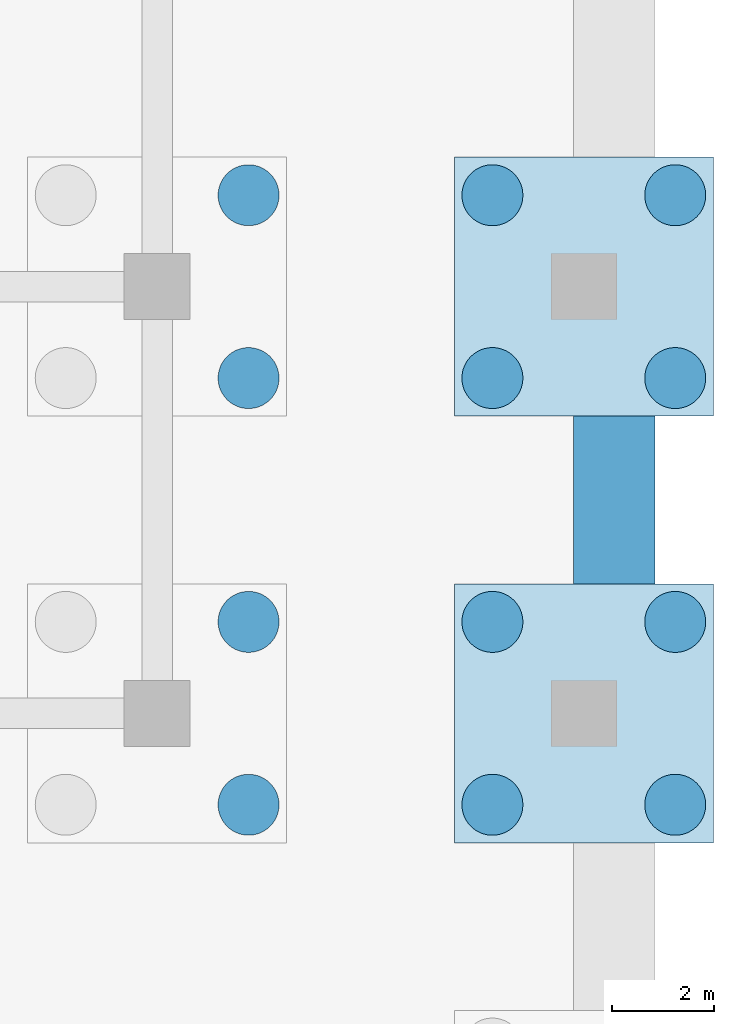
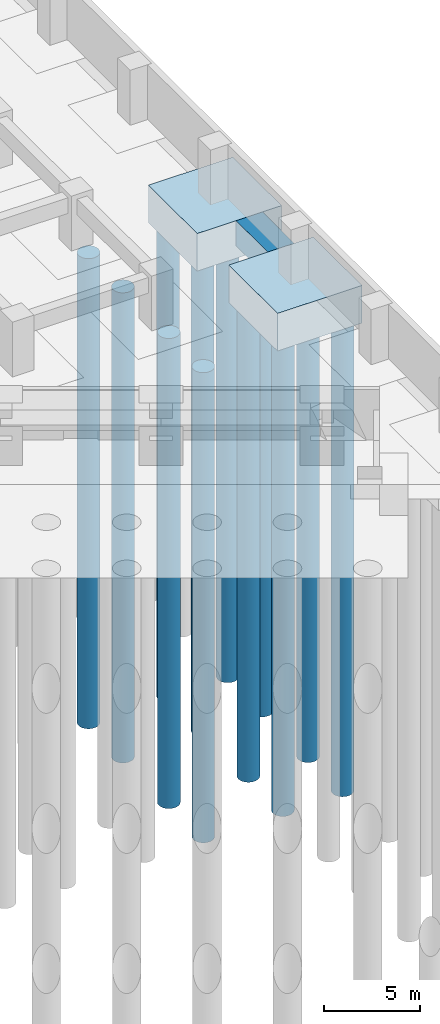
# One storey, part 30 of 73: 12 piles, 3 footings.
"""IFC4 building model written with IfcOpenShell, lengths in metres."""

from ifc_helpers import new_model, si_unit, direction, frame, origin, origin_2d, place, context, subcontext, project, spatial, polyline, circle, outline, extrude, material, material_profile, profile_set, type_object, element, save


model = new_model("IFC4")

# Units and contexts
model_context = context("Model", 3, precision=1e-05, world=origin(), true_north=direction((0.0, 1.0)))
body_context = subcontext(model_context, "Body", "Model", "MODEL_VIEW")
ifc_project = project(units=[si_unit("LENGTHUNIT", "METRE"), si_unit("AREAUNIT", "SQUARE_METRE"), si_unit("VOLUMEUNIT", "CUBIC_METRE"), si_unit("PLANEANGLEUNIT", "RADIAN"), si_unit("MASSUNIT", "GRAM", prefix="KILO")], contexts=[model_context])

# Site, building, storey
site_placement = place(None, origin())
site = spatial("IfcSite", under=ifc_project, at=site_placement, CompositionType="ELEMENT")
building_placement = place(site_placement, origin())
building = spatial("IfcBuilding", under=site, at=building_placement, Name="Impinga Residences", CompositionType="ELEMENT")
storey_placement = place(building_placement, frame((0.0, 0.0, -10.5)))
storey = spatial("IfcBuildingStorey", under=building, at=storey_placement, Name="B3", CompositionType="ELEMENT", Elevation=-10.5)

# Piles
ifc_material_1 = material(Name="Concrete C35/45", Category="concrete")
ifc_material_profile = material_profile(ifc_material_1, circle(Radius=0.60009765625, at=origin_2d()), Name="D1200")
ifc_profile_set = profile_set([ifc_material_profile], Name="Concrete C35/45")
pile_type = type_object("IfcPileType", Name="BP2 bored pile D1200", PredefinedType="BORED", material=ifc_profile_set)
pile_1_placement = place(storey_placement, frame((43.800048828125, -1.800048828125, -2.39990234375), z_axis=(0.0, 0.0, -1.0), x_axis=(1.0, 0.0, 0.0)))
element("IfcPile", 1, at=pile_1_placement, inside=storey, type_object=pile_type, Name="Cap pile BP2 12/F-2", PredefinedType="BORED", context=body_context, shape_type="SweptSolid", body=[
    extrude(outline(polyline([(0.60009765625, 0.0), (0.59716796875, 0.058837890625), (0.58837890625, 0.116943359375), (0.57421875, 0.174072265625), (0.554443359375, 0.2294921875), (0.529052734375, 0.282958984375), (0.498779296875, 0.333251953125), (0.4638671875, 0.380615234375), (0.42431640625, 0.42431640625), (0.380615234375, 0.4638671875), (0.333251953125, 0.498779296875), (0.282958984375, 0.529052734375), (0.2294921875, 0.554443359375), (0.174072265625, 0.57421875), (0.116943359375, 0.58837890625), (0.058837890625, 0.59716796875), (0.0, 0.60009765625), (-0.058837890625, 0.59716796875), (-0.116943359375, 0.58837890625), (-0.174072265625, 0.57421875), (-0.2294921875, 0.554443359375), (-0.282958984375, 0.529052734375), (-0.333251953125, 0.498779296875), (-0.380615234375, 0.4638671875), (-0.42431640625, 0.42431640625), (-0.4638671875, 0.380615234375), (-0.498779296875, 0.333251953125), (-0.529052734375, 0.282958984375), (-0.554443359375, 0.2294921875), (-0.57421875, 0.174072265625), (-0.58837890625, 0.116943359375), (-0.59716796875, 0.058837890625), (-0.60009765625, 0.0), (-0.59716796875, -0.058837890625), (-0.58837890625, -0.116943359375), (-0.57421875, -0.174072265625), (-0.554443359375, -0.2294921875), (-0.529052734375, -0.282958984375), (-0.498779296875, -0.333251953125), (-0.4638671875, -0.380615234375), (-0.42431640625, -0.42431640625), (-0.380615234375, -0.4638671875), (-0.333251953125, -0.498779296875), (-0.282958984375, -0.529052734375), (-0.2294921875, -0.554443359375), (-0.174072265625, -0.57421875), (-0.116943359375, -0.58837890625), (-0.058837890625, -0.59716796875), (0.0, -0.60009765625), (0.058837890625, -0.59716796875), (0.116943359375, -0.58837890625), (0.174072265625, -0.57421875), (0.2294921875, -0.554443359375), (0.282958984375, -0.529052734375), (0.333251953125, -0.498779296875), (0.380615234375, -0.4638671875), (0.42431640625, -0.42431640625), (0.4638671875, -0.380615234375), (0.498779296875, -0.333251953125), (0.529052734375, -0.282958984375), (0.554443359375, -0.2294921875), (0.57421875, -0.174072265625), (0.58837890625, -0.116943359375), (0.59716796875, -0.058837890625), (0.60009765625, 0.0)])), origin(), (0.0, 0.0, 1.0), 30.0),
])
pile_2_placement = place(storey_placement, frame((43.800048828125, 1.800048828125, -2.39990234375), z_axis=(0.0, 0.0, -1.0), x_axis=(1.0, 0.0, 0.0)))
element("IfcPile", 2, at=pile_2_placement, inside=storey, type_object=pile_type, Name="Cap pile BP2 12/F-3", PredefinedType="BORED", context=body_context, shape_type="SweptSolid", body=[
    extrude(outline(polyline([(0.60009765625, 0.0), (0.59716796875, 0.058837890625), (0.58837890625, 0.116943359375), (0.57421875, 0.174072265625), (0.554443359375, 0.2294921875), (0.529052734375, 0.282958984375), (0.498779296875, 0.333251953125), (0.4638671875, 0.380615234375), (0.42431640625, 0.42431640625), (0.380615234375, 0.4638671875), (0.333251953125, 0.498779296875), (0.282958984375, 0.529052734375), (0.2294921875, 0.554443359375), (0.174072265625, 0.57421875), (0.116943359375, 0.58837890625), (0.058837890625, 0.59716796875), (0.0, 0.60009765625), (-0.058837890625, 0.59716796875), (-0.116943359375, 0.58837890625), (-0.174072265625, 0.57421875), (-0.2294921875, 0.554443359375), (-0.282958984375, 0.529052734375), (-0.333251953125, 0.498779296875), (-0.380615234375, 0.4638671875), (-0.42431640625, 0.42431640625), (-0.4638671875, 0.380615234375), (-0.498779296875, 0.333251953125), (-0.529052734375, 0.282958984375), (-0.554443359375, 0.2294921875), (-0.57421875, 0.174072265625), (-0.58837890625, 0.116943359375), (-0.59716796875, 0.058837890625), (-0.60009765625, 0.0), (-0.59716796875, -0.058837890625), (-0.58837890625, -0.116943359375), (-0.57421875, -0.174072265625), (-0.554443359375, -0.2294921875), (-0.529052734375, -0.282958984375), (-0.498779296875, -0.333251953125), (-0.4638671875, -0.380615234375), (-0.42431640625, -0.42431640625), (-0.380615234375, -0.4638671875), (-0.333251953125, -0.498779296875), (-0.282958984375, -0.529052734375), (-0.2294921875, -0.554443359375), (-0.174072265625, -0.57421875), (-0.116943359375, -0.58837890625), (-0.058837890625, -0.59716796875), (0.0, -0.60009765625), (0.058837890625, -0.59716796875), (0.116943359375, -0.58837890625), (0.174072265625, -0.57421875), (0.2294921875, -0.554443359375), (0.282958984375, -0.529052734375), (0.333251953125, -0.498779296875), (0.380615234375, -0.4638671875), (0.42431640625, -0.42431640625), (0.4638671875, -0.380615234375), (0.498779296875, -0.333251953125), (0.529052734375, -0.282958984375), (0.554443359375, -0.2294921875), (0.57421875, -0.174072265625), (0.58837890625, -0.116943359375), (0.59716796875, -0.058837890625), (0.60009765625, 0.0)])), origin(), (0.0, 0.0, 1.0), 30.0),
])
pile_3_placement = place(storey_placement, frame((43.800048828125, 6.60009765625, -2.39990234375), z_axis=(0.0, 0.0, -1.0), x_axis=(1.0, 0.0, 0.0)))
element("IfcPile", 3, at=pile_3_placement, inside=storey, type_object=pile_type, Name="Cap pile BP2 12/G-2", PredefinedType="BORED", context=body_context, shape_type="SweptSolid", body=[
    extrude(outline(polyline([(0.60009765625, 0.0), (0.59716796875, 0.058837890625), (0.58837890625, 0.116943359375), (0.57421875, 0.174072265625), (0.554443359375, 0.2294921875), (0.529052734375, 0.282958984375), (0.498779296875, 0.333251953125), (0.4638671875, 0.380615234375), (0.42431640625, 0.42431640625), (0.380615234375, 0.4638671875), (0.333251953125, 0.498779296875), (0.282958984375, 0.529052734375), (0.2294921875, 0.554443359375), (0.174072265625, 0.57421875), (0.116943359375, 0.58837890625), (0.058837890625, 0.59716796875), (0.0, 0.60009765625), (-0.058837890625, 0.59716796875), (-0.116943359375, 0.58837890625), (-0.174072265625, 0.57421875), (-0.2294921875, 0.554443359375), (-0.282958984375, 0.529052734375), (-0.333251953125, 0.498779296875), (-0.380615234375, 0.4638671875), (-0.42431640625, 0.42431640625), (-0.4638671875, 0.380615234375), (-0.498779296875, 0.333251953125), (-0.529052734375, 0.282958984375), (-0.554443359375, 0.2294921875), (-0.57421875, 0.174072265625), (-0.58837890625, 0.116943359375), (-0.59716796875, 0.058837890625), (-0.60009765625, 0.0), (-0.59716796875, -0.058837890625), (-0.58837890625, -0.116943359375), (-0.57421875, -0.174072265625), (-0.554443359375, -0.2294921875), (-0.529052734375, -0.282958984375), (-0.498779296875, -0.333251953125), (-0.4638671875, -0.380615234375), (-0.42431640625, -0.42431640625), (-0.380615234375, -0.4638671875), (-0.333251953125, -0.498779296875), (-0.282958984375, -0.529052734375), (-0.2294921875, -0.554443359375), (-0.174072265625, -0.57421875), (-0.116943359375, -0.58837890625), (-0.058837890625, -0.59716796875), (0.0, -0.60009765625), (0.058837890625, -0.59716796875), (0.116943359375, -0.58837890625), (0.174072265625, -0.57421875), (0.2294921875, -0.554443359375), (0.282958984375, -0.529052734375), (0.333251953125, -0.498779296875), (0.380615234375, -0.4638671875), (0.42431640625, -0.42431640625), (0.4638671875, -0.380615234375), (0.498779296875, -0.333251953125), (0.529052734375, -0.282958984375), (0.554443359375, -0.2294921875), (0.57421875, -0.174072265625), (0.58837890625, -0.116943359375), (0.59716796875, -0.058837890625), (0.60009765625, 0.0)])), origin(), (0.0, 0.0, 1.0), 30.0),
])
pile_4_placement = place(storey_placement, frame((43.800048828125, 10.199951171875, -2.39990234375), z_axis=(0.0, 0.0, -1.0), x_axis=(1.0, 0.0, 0.0)))
element("IfcPile", 4, at=pile_4_placement, inside=storey, type_object=pile_type, Name="Cap pile BP2 12/G-3", PredefinedType="BORED", context=body_context, shape_type="SweptSolid", body=[
    extrude(outline(polyline([(0.60009765625, 0.0), (0.59716796875, 0.058837890625), (0.58837890625, 0.116943359375), (0.57421875, 0.174072265625), (0.554443359375, 0.2294921875), (0.529052734375, 0.282958984375), (0.498779296875, 0.333251953125), (0.4638671875, 0.380615234375), (0.42431640625, 0.42431640625), (0.380615234375, 0.4638671875), (0.333251953125, 0.498779296875), (0.282958984375, 0.529052734375), (0.2294921875, 0.554443359375), (0.174072265625, 0.57421875), (0.116943359375, 0.58837890625), (0.058837890625, 0.59716796875), (0.0, 0.60009765625), (-0.058837890625, 0.59716796875), (-0.116943359375, 0.58837890625), (-0.174072265625, 0.57421875), (-0.2294921875, 0.554443359375), (-0.282958984375, 0.529052734375), (-0.333251953125, 0.498779296875), (-0.380615234375, 0.4638671875), (-0.42431640625, 0.42431640625), (-0.4638671875, 0.380615234375), (-0.498779296875, 0.333251953125), (-0.529052734375, 0.282958984375), (-0.554443359375, 0.2294921875), (-0.57421875, 0.174072265625), (-0.58837890625, 0.116943359375), (-0.59716796875, 0.058837890625), (-0.60009765625, 0.0), (-0.59716796875, -0.058837890625), (-0.58837890625, -0.116943359375), (-0.57421875, -0.174072265625), (-0.554443359375, -0.2294921875), (-0.529052734375, -0.282958984375), (-0.498779296875, -0.333251953125), (-0.4638671875, -0.380615234375), (-0.42431640625, -0.42431640625), (-0.380615234375, -0.4638671875), (-0.333251953125, -0.498779296875), (-0.282958984375, -0.529052734375), (-0.2294921875, -0.554443359375), (-0.174072265625, -0.57421875), (-0.116943359375, -0.58837890625), (-0.058837890625, -0.59716796875), (0.0, -0.60009765625), (0.058837890625, -0.59716796875), (0.116943359375, -0.58837890625), (0.174072265625, -0.57421875), (0.2294921875, -0.554443359375), (0.282958984375, -0.529052734375), (0.333251953125, -0.498779296875), (0.380615234375, -0.4638671875), (0.42431640625, -0.42431640625), (0.4638671875, -0.380615234375), (0.498779296875, -0.333251953125), (0.529052734375, -0.282958984375), (0.554443359375, -0.2294921875), (0.57421875, -0.174072265625), (0.58837890625, -0.116943359375), (0.59716796875, -0.058837890625), (0.60009765625, 0.0)])), origin(), (0.0, 0.0, 1.0), 30.0),
])
pile_5_placement = place(storey_placement, frame((48.60009765625, -1.800048828125, -2.39990234375), z_axis=(0.0, 0.0, -1.0), x_axis=(1.0, 0.0, 0.0)))
element("IfcPile", 5, at=pile_5_placement, inside=storey, type_object=pile_type, Name="Cap pile BP2 13/F-1", PredefinedType="BORED", context=body_context, shape_type="SweptSolid", body=[
    extrude(outline(polyline([(0.60009765625, 0.0), (0.59716796875, 0.058837890625), (0.58837890625, 0.116943359375), (0.57421875, 0.174072265625), (0.554443359375, 0.2294921875), (0.529052734375, 0.282958984375), (0.498779296875, 0.333251953125), (0.4638671875, 0.380615234375), (0.42431640625, 0.42431640625), (0.380615234375, 0.4638671875), (0.333251953125, 0.498779296875), (0.282958984375, 0.529052734375), (0.2294921875, 0.554443359375), (0.174072265625, 0.57421875), (0.116943359375, 0.58837890625), (0.058837890625, 0.59716796875), (0.0, 0.60009765625), (-0.058837890625, 0.59716796875), (-0.116943359375, 0.58837890625), (-0.174072265625, 0.57421875), (-0.2294921875, 0.554443359375), (-0.282958984375, 0.529052734375), (-0.333251953125, 0.498779296875), (-0.380615234375, 0.4638671875), (-0.42431640625, 0.42431640625), (-0.4638671875, 0.380615234375), (-0.498779296875, 0.333251953125), (-0.529052734375, 0.282958984375), (-0.554443359375, 0.2294921875), (-0.57421875, 0.174072265625), (-0.58837890625, 0.116943359375), (-0.59716796875, 0.058837890625), (-0.60009765625, 0.0), (-0.59716796875, -0.058837890625), (-0.58837890625, -0.116943359375), (-0.57421875, -0.174072265625), (-0.554443359375, -0.2294921875), (-0.529052734375, -0.282958984375), (-0.498779296875, -0.333251953125), (-0.4638671875, -0.380615234375), (-0.42431640625, -0.42431640625), (-0.380615234375, -0.4638671875), (-0.333251953125, -0.498779296875), (-0.282958984375, -0.529052734375), (-0.2294921875, -0.554443359375), (-0.174072265625, -0.57421875), (-0.116943359375, -0.58837890625), (-0.058837890625, -0.59716796875), (0.0, -0.60009765625), (0.058837890625, -0.59716796875), (0.116943359375, -0.58837890625), (0.174072265625, -0.57421875), (0.2294921875, -0.554443359375), (0.282958984375, -0.529052734375), (0.333251953125, -0.498779296875), (0.380615234375, -0.4638671875), (0.42431640625, -0.42431640625), (0.4638671875, -0.380615234375), (0.498779296875, -0.333251953125), (0.529052734375, -0.282958984375), (0.554443359375, -0.2294921875), (0.57421875, -0.174072265625), (0.58837890625, -0.116943359375), (0.59716796875, -0.058837890625), (0.60009765625, 0.0)])), origin(), (0.0, 0.0, 1.0), 30.0),
])
pile_6_placement = place(storey_placement, frame((52.199951171875, -1.800048828125, -2.39990234375), z_axis=(0.0, 0.0, -1.0), x_axis=(1.0, 0.0, 0.0)))
element("IfcPile", 6, at=pile_6_placement, inside=storey, type_object=pile_type, Name="Cap pile BP2 13/F-2", PredefinedType="BORED", context=body_context, shape_type="SweptSolid", body=[
    extrude(outline(polyline([(0.60009765625, 0.0), (0.59716796875, 0.058837890625), (0.58837890625, 0.116943359375), (0.57421875, 0.174072265625), (0.554443359375, 0.2294921875), (0.529052734375, 0.282958984375), (0.498779296875, 0.333251953125), (0.4638671875, 0.380615234375), (0.42431640625, 0.42431640625), (0.380615234375, 0.4638671875), (0.333251953125, 0.498779296875), (0.282958984375, 0.529052734375), (0.2294921875, 0.554443359375), (0.174072265625, 0.57421875), (0.116943359375, 0.58837890625), (0.058837890625, 0.59716796875), (0.0, 0.60009765625), (-0.058837890625, 0.59716796875), (-0.116943359375, 0.58837890625), (-0.174072265625, 0.57421875), (-0.2294921875, 0.554443359375), (-0.282958984375, 0.529052734375), (-0.333251953125, 0.498779296875), (-0.380615234375, 0.4638671875), (-0.42431640625, 0.42431640625), (-0.4638671875, 0.380615234375), (-0.498779296875, 0.333251953125), (-0.529052734375, 0.282958984375), (-0.554443359375, 0.2294921875), (-0.57421875, 0.174072265625), (-0.58837890625, 0.116943359375), (-0.59716796875, 0.058837890625), (-0.60009765625, 0.0), (-0.59716796875, -0.058837890625), (-0.58837890625, -0.116943359375), (-0.57421875, -0.174072265625), (-0.554443359375, -0.2294921875), (-0.529052734375, -0.282958984375), (-0.498779296875, -0.333251953125), (-0.4638671875, -0.380615234375), (-0.42431640625, -0.42431640625), (-0.380615234375, -0.4638671875), (-0.333251953125, -0.498779296875), (-0.282958984375, -0.529052734375), (-0.2294921875, -0.554443359375), (-0.174072265625, -0.57421875), (-0.116943359375, -0.58837890625), (-0.058837890625, -0.59716796875), (0.0, -0.60009765625), (0.058837890625, -0.59716796875), (0.116943359375, -0.58837890625), (0.174072265625, -0.57421875), (0.2294921875, -0.554443359375), (0.282958984375, -0.529052734375), (0.333251953125, -0.498779296875), (0.380615234375, -0.4638671875), (0.42431640625, -0.42431640625), (0.4638671875, -0.380615234375), (0.498779296875, -0.333251953125), (0.529052734375, -0.282958984375), (0.554443359375, -0.2294921875), (0.57421875, -0.174072265625), (0.58837890625, -0.116943359375), (0.59716796875, -0.058837890625), (0.60009765625, 0.0)])), origin(), (0.0, 0.0, 1.0), 30.0),
])
pile_7_placement = place(storey_placement, frame((52.199951171875, 1.800048828125, -2.39990234375), z_axis=(0.0, 0.0, -1.0), x_axis=(1.0, 0.0, 0.0)))
element("IfcPile", 7, at=pile_7_placement, inside=storey, type_object=pile_type, Name="Cap pile BP2 13/F-3", PredefinedType="BORED", context=body_context, shape_type="SweptSolid", body=[
    extrude(outline(polyline([(0.60009765625, 0.0), (0.59716796875, 0.058837890625), (0.58837890625, 0.116943359375), (0.57421875, 0.174072265625), (0.554443359375, 0.2294921875), (0.529052734375, 0.282958984375), (0.498779296875, 0.333251953125), (0.4638671875, 0.380615234375), (0.42431640625, 0.42431640625), (0.380615234375, 0.4638671875), (0.333251953125, 0.498779296875), (0.282958984375, 0.529052734375), (0.2294921875, 0.554443359375), (0.174072265625, 0.57421875), (0.116943359375, 0.58837890625), (0.058837890625, 0.59716796875), (0.0, 0.60009765625), (-0.058837890625, 0.59716796875), (-0.116943359375, 0.58837890625), (-0.174072265625, 0.57421875), (-0.2294921875, 0.554443359375), (-0.282958984375, 0.529052734375), (-0.333251953125, 0.498779296875), (-0.380615234375, 0.4638671875), (-0.42431640625, 0.42431640625), (-0.4638671875, 0.380615234375), (-0.498779296875, 0.333251953125), (-0.529052734375, 0.282958984375), (-0.554443359375, 0.2294921875), (-0.57421875, 0.174072265625), (-0.58837890625, 0.116943359375), (-0.59716796875, 0.058837890625), (-0.60009765625, 0.0), (-0.59716796875, -0.058837890625), (-0.58837890625, -0.116943359375), (-0.57421875, -0.174072265625), (-0.554443359375, -0.2294921875), (-0.529052734375, -0.282958984375), (-0.498779296875, -0.333251953125), (-0.4638671875, -0.380615234375), (-0.42431640625, -0.42431640625), (-0.380615234375, -0.4638671875), (-0.333251953125, -0.498779296875), (-0.282958984375, -0.529052734375), (-0.2294921875, -0.554443359375), (-0.174072265625, -0.57421875), (-0.116943359375, -0.58837890625), (-0.058837890625, -0.59716796875), (0.0, -0.60009765625), (0.058837890625, -0.59716796875), (0.116943359375, -0.58837890625), (0.174072265625, -0.57421875), (0.2294921875, -0.554443359375), (0.282958984375, -0.529052734375), (0.333251953125, -0.498779296875), (0.380615234375, -0.4638671875), (0.42431640625, -0.42431640625), (0.4638671875, -0.380615234375), (0.498779296875, -0.333251953125), (0.529052734375, -0.282958984375), (0.554443359375, -0.2294921875), (0.57421875, -0.174072265625), (0.58837890625, -0.116943359375), (0.59716796875, -0.058837890625), (0.60009765625, 0.0)])), origin(), (0.0, 0.0, 1.0), 30.0),
])
pile_8_placement = place(storey_placement, frame((48.60009765625, 1.800048828125, -2.39990234375), z_axis=(0.0, 0.0, -1.0), x_axis=(1.0, 0.0, 0.0)))
element("IfcPile", 8, at=pile_8_placement, inside=storey, type_object=pile_type, Name="Cap pile BP2 13/F-4", PredefinedType="BORED", context=body_context, shape_type="SweptSolid", body=[
    extrude(outline(polyline([(0.60009765625, 0.0), (0.59716796875, 0.058837890625), (0.58837890625, 0.116943359375), (0.57421875, 0.174072265625), (0.554443359375, 0.2294921875), (0.529052734375, 0.282958984375), (0.498779296875, 0.333251953125), (0.4638671875, 0.380615234375), (0.42431640625, 0.42431640625), (0.380615234375, 0.4638671875), (0.333251953125, 0.498779296875), (0.282958984375, 0.529052734375), (0.2294921875, 0.554443359375), (0.174072265625, 0.57421875), (0.116943359375, 0.58837890625), (0.058837890625, 0.59716796875), (0.0, 0.60009765625), (-0.058837890625, 0.59716796875), (-0.116943359375, 0.58837890625), (-0.174072265625, 0.57421875), (-0.2294921875, 0.554443359375), (-0.282958984375, 0.529052734375), (-0.333251953125, 0.498779296875), (-0.380615234375, 0.4638671875), (-0.42431640625, 0.42431640625), (-0.4638671875, 0.380615234375), (-0.498779296875, 0.333251953125), (-0.529052734375, 0.282958984375), (-0.554443359375, 0.2294921875), (-0.57421875, 0.174072265625), (-0.58837890625, 0.116943359375), (-0.59716796875, 0.058837890625), (-0.60009765625, 0.0), (-0.59716796875, -0.058837890625), (-0.58837890625, -0.116943359375), (-0.57421875, -0.174072265625), (-0.554443359375, -0.2294921875), (-0.529052734375, -0.282958984375), (-0.498779296875, -0.333251953125), (-0.4638671875, -0.380615234375), (-0.42431640625, -0.42431640625), (-0.380615234375, -0.4638671875), (-0.333251953125, -0.498779296875), (-0.282958984375, -0.529052734375), (-0.2294921875, -0.554443359375), (-0.174072265625, -0.57421875), (-0.116943359375, -0.58837890625), (-0.058837890625, -0.59716796875), (0.0, -0.60009765625), (0.058837890625, -0.59716796875), (0.116943359375, -0.58837890625), (0.174072265625, -0.57421875), (0.2294921875, -0.554443359375), (0.282958984375, -0.529052734375), (0.333251953125, -0.498779296875), (0.380615234375, -0.4638671875), (0.42431640625, -0.42431640625), (0.4638671875, -0.380615234375), (0.498779296875, -0.333251953125), (0.529052734375, -0.282958984375), (0.554443359375, -0.2294921875), (0.57421875, -0.174072265625), (0.58837890625, -0.116943359375), (0.59716796875, -0.058837890625), (0.60009765625, 0.0)])), origin(), (0.0, 0.0, 1.0), 30.0),
])
pile_9_placement = place(storey_placement, frame((48.60009765625, 6.60009765625, -2.39990234375), z_axis=(0.0, 0.0, -1.0), x_axis=(1.0, 0.0, 0.0)))
element("IfcPile", 9, at=pile_9_placement, inside=storey, type_object=pile_type, Name="Cap pile BP2 13/G-1", PredefinedType="BORED", context=body_context, shape_type="SweptSolid", body=[
    extrude(outline(polyline([(0.60009765625, 0.0), (0.59716796875, 0.058837890625), (0.58837890625, 0.116943359375), (0.57421875, 0.174072265625), (0.554443359375, 0.2294921875), (0.529052734375, 0.282958984375), (0.498779296875, 0.333251953125), (0.4638671875, 0.380615234375), (0.42431640625, 0.42431640625), (0.380615234375, 0.4638671875), (0.333251953125, 0.498779296875), (0.282958984375, 0.529052734375), (0.2294921875, 0.554443359375), (0.174072265625, 0.57421875), (0.116943359375, 0.58837890625), (0.058837890625, 0.59716796875), (0.0, 0.60009765625), (-0.058837890625, 0.59716796875), (-0.116943359375, 0.58837890625), (-0.174072265625, 0.57421875), (-0.2294921875, 0.554443359375), (-0.282958984375, 0.529052734375), (-0.333251953125, 0.498779296875), (-0.380615234375, 0.4638671875), (-0.42431640625, 0.42431640625), (-0.4638671875, 0.380615234375), (-0.498779296875, 0.333251953125), (-0.529052734375, 0.282958984375), (-0.554443359375, 0.2294921875), (-0.57421875, 0.174072265625), (-0.58837890625, 0.116943359375), (-0.59716796875, 0.058837890625), (-0.60009765625, 0.0), (-0.59716796875, -0.058837890625), (-0.58837890625, -0.116943359375), (-0.57421875, -0.174072265625), (-0.554443359375, -0.2294921875), (-0.529052734375, -0.282958984375), (-0.498779296875, -0.333251953125), (-0.4638671875, -0.380615234375), (-0.42431640625, -0.42431640625), (-0.380615234375, -0.4638671875), (-0.333251953125, -0.498779296875), (-0.282958984375, -0.529052734375), (-0.2294921875, -0.554443359375), (-0.174072265625, -0.57421875), (-0.116943359375, -0.58837890625), (-0.058837890625, -0.59716796875), (0.0, -0.60009765625), (0.058837890625, -0.59716796875), (0.116943359375, -0.58837890625), (0.174072265625, -0.57421875), (0.2294921875, -0.554443359375), (0.282958984375, -0.529052734375), (0.333251953125, -0.498779296875), (0.380615234375, -0.4638671875), (0.42431640625, -0.42431640625), (0.4638671875, -0.380615234375), (0.498779296875, -0.333251953125), (0.529052734375, -0.282958984375), (0.554443359375, -0.2294921875), (0.57421875, -0.174072265625), (0.58837890625, -0.116943359375), (0.59716796875, -0.058837890625), (0.60009765625, 0.0)])), origin(), (0.0, 0.0, 1.0), 30.0),
])
pile_10_placement = place(storey_placement, frame((52.199951171875, 6.60009765625, -2.39990234375), z_axis=(0.0, 0.0, -1.0), x_axis=(1.0, 0.0, 0.0)))
element("IfcPile", 10, at=pile_10_placement, inside=storey, type_object=pile_type, Name="Cap pile BP2 13/G-2", PredefinedType="BORED", context=body_context, shape_type="SweptSolid", body=[
    extrude(outline(polyline([(0.60009765625, 0.0), (0.59716796875, 0.058837890625), (0.58837890625, 0.116943359375), (0.57421875, 0.174072265625), (0.554443359375, 0.2294921875), (0.529052734375, 0.282958984375), (0.498779296875, 0.333251953125), (0.4638671875, 0.380615234375), (0.42431640625, 0.42431640625), (0.380615234375, 0.4638671875), (0.333251953125, 0.498779296875), (0.282958984375, 0.529052734375), (0.2294921875, 0.554443359375), (0.174072265625, 0.57421875), (0.116943359375, 0.58837890625), (0.058837890625, 0.59716796875), (0.0, 0.60009765625), (-0.058837890625, 0.59716796875), (-0.116943359375, 0.58837890625), (-0.174072265625, 0.57421875), (-0.2294921875, 0.554443359375), (-0.282958984375, 0.529052734375), (-0.333251953125, 0.498779296875), (-0.380615234375, 0.4638671875), (-0.42431640625, 0.42431640625), (-0.4638671875, 0.380615234375), (-0.498779296875, 0.333251953125), (-0.529052734375, 0.282958984375), (-0.554443359375, 0.2294921875), (-0.57421875, 0.174072265625), (-0.58837890625, 0.116943359375), (-0.59716796875, 0.058837890625), (-0.60009765625, 0.0), (-0.59716796875, -0.058837890625), (-0.58837890625, -0.116943359375), (-0.57421875, -0.174072265625), (-0.554443359375, -0.2294921875), (-0.529052734375, -0.282958984375), (-0.498779296875, -0.333251953125), (-0.4638671875, -0.380615234375), (-0.42431640625, -0.42431640625), (-0.380615234375, -0.4638671875), (-0.333251953125, -0.498779296875), (-0.282958984375, -0.529052734375), (-0.2294921875, -0.554443359375), (-0.174072265625, -0.57421875), (-0.116943359375, -0.58837890625), (-0.058837890625, -0.59716796875), (0.0, -0.60009765625), (0.058837890625, -0.59716796875), (0.116943359375, -0.58837890625), (0.174072265625, -0.57421875), (0.2294921875, -0.554443359375), (0.282958984375, -0.529052734375), (0.333251953125, -0.498779296875), (0.380615234375, -0.4638671875), (0.42431640625, -0.42431640625), (0.4638671875, -0.380615234375), (0.498779296875, -0.333251953125), (0.529052734375, -0.282958984375), (0.554443359375, -0.2294921875), (0.57421875, -0.174072265625), (0.58837890625, -0.116943359375), (0.59716796875, -0.058837890625), (0.60009765625, 0.0)])), origin(), (0.0, 0.0, 1.0), 30.0),
])
pile_11_placement = place(storey_placement, frame((52.199951171875, 10.199951171875, -2.39990234375), z_axis=(0.0, 0.0, -1.0), x_axis=(1.0, 0.0, 0.0)))
element("IfcPile", 11, at=pile_11_placement, inside=storey, type_object=pile_type, Name="Cap pile BP2 13/G-3", PredefinedType="BORED", context=body_context, shape_type="SweptSolid", body=[
    extrude(outline(polyline([(0.60009765625, 0.0), (0.59716796875, 0.058837890625), (0.58837890625, 0.116943359375), (0.57421875, 0.174072265625), (0.554443359375, 0.2294921875), (0.529052734375, 0.282958984375), (0.498779296875, 0.333251953125), (0.4638671875, 0.380615234375), (0.42431640625, 0.42431640625), (0.380615234375, 0.4638671875), (0.333251953125, 0.498779296875), (0.282958984375, 0.529052734375), (0.2294921875, 0.554443359375), (0.174072265625, 0.57421875), (0.116943359375, 0.58837890625), (0.058837890625, 0.59716796875), (0.0, 0.60009765625), (-0.058837890625, 0.59716796875), (-0.116943359375, 0.58837890625), (-0.174072265625, 0.57421875), (-0.2294921875, 0.554443359375), (-0.282958984375, 0.529052734375), (-0.333251953125, 0.498779296875), (-0.380615234375, 0.4638671875), (-0.42431640625, 0.42431640625), (-0.4638671875, 0.380615234375), (-0.498779296875, 0.333251953125), (-0.529052734375, 0.282958984375), (-0.554443359375, 0.2294921875), (-0.57421875, 0.174072265625), (-0.58837890625, 0.116943359375), (-0.59716796875, 0.058837890625), (-0.60009765625, 0.0), (-0.59716796875, -0.058837890625), (-0.58837890625, -0.116943359375), (-0.57421875, -0.174072265625), (-0.554443359375, -0.2294921875), (-0.529052734375, -0.282958984375), (-0.498779296875, -0.333251953125), (-0.4638671875, -0.380615234375), (-0.42431640625, -0.42431640625), (-0.380615234375, -0.4638671875), (-0.333251953125, -0.498779296875), (-0.282958984375, -0.529052734375), (-0.2294921875, -0.554443359375), (-0.174072265625, -0.57421875), (-0.116943359375, -0.58837890625), (-0.058837890625, -0.59716796875), (0.0, -0.60009765625), (0.058837890625, -0.59716796875), (0.116943359375, -0.58837890625), (0.174072265625, -0.57421875), (0.2294921875, -0.554443359375), (0.282958984375, -0.529052734375), (0.333251953125, -0.498779296875), (0.380615234375, -0.4638671875), (0.42431640625, -0.42431640625), (0.4638671875, -0.380615234375), (0.498779296875, -0.333251953125), (0.529052734375, -0.282958984375), (0.554443359375, -0.2294921875), (0.57421875, -0.174072265625), (0.58837890625, -0.116943359375), (0.59716796875, -0.058837890625), (0.60009765625, 0.0)])), origin(), (0.0, 0.0, 1.0), 30.0),
])
pile_12_placement = place(storey_placement, frame((48.60009765625, 10.199951171875, -2.39990234375), z_axis=(0.0, 0.0, -1.0), x_axis=(1.0, 0.0, 0.0)))
element("IfcPile", 12, at=pile_12_placement, inside=storey, type_object=pile_type, Name="Cap pile BP2 13/G-4", PredefinedType="BORED", context=body_context, shape_type="SweptSolid", body=[
    extrude(outline(polyline([(0.60009765625, 0.0), (0.59716796875, 0.058837890625), (0.58837890625, 0.116943359375), (0.57421875, 0.174072265625), (0.554443359375, 0.2294921875), (0.529052734375, 0.282958984375), (0.498779296875, 0.333251953125), (0.4638671875, 0.380615234375), (0.42431640625, 0.42431640625), (0.380615234375, 0.4638671875), (0.333251953125, 0.498779296875), (0.282958984375, 0.529052734375), (0.2294921875, 0.554443359375), (0.174072265625, 0.57421875), (0.116943359375, 0.58837890625), (0.058837890625, 0.59716796875), (0.0, 0.60009765625), (-0.058837890625, 0.59716796875), (-0.116943359375, 0.58837890625), (-0.174072265625, 0.57421875), (-0.2294921875, 0.554443359375), (-0.282958984375, 0.529052734375), (-0.333251953125, 0.498779296875), (-0.380615234375, 0.4638671875), (-0.42431640625, 0.42431640625), (-0.4638671875, 0.380615234375), (-0.498779296875, 0.333251953125), (-0.529052734375, 0.282958984375), (-0.554443359375, 0.2294921875), (-0.57421875, 0.174072265625), (-0.58837890625, 0.116943359375), (-0.59716796875, 0.058837890625), (-0.60009765625, 0.0), (-0.59716796875, -0.058837890625), (-0.58837890625, -0.116943359375), (-0.57421875, -0.174072265625), (-0.554443359375, -0.2294921875), (-0.529052734375, -0.282958984375), (-0.498779296875, -0.333251953125), (-0.4638671875, -0.380615234375), (-0.42431640625, -0.42431640625), (-0.380615234375, -0.4638671875), (-0.333251953125, -0.498779296875), (-0.282958984375, -0.529052734375), (-0.2294921875, -0.554443359375), (-0.174072265625, -0.57421875), (-0.116943359375, -0.58837890625), (-0.058837890625, -0.59716796875), (0.0, -0.60009765625), (0.058837890625, -0.59716796875), (0.116943359375, -0.58837890625), (0.174072265625, -0.57421875), (0.2294921875, -0.554443359375), (0.282958984375, -0.529052734375), (0.333251953125, -0.498779296875), (0.380615234375, -0.4638671875), (0.42431640625, -0.42431640625), (0.4638671875, -0.380615234375), (0.498779296875, -0.333251953125), (0.529052734375, -0.282958984375), (0.554443359375, -0.2294921875), (0.57421875, -0.174072265625), (0.58837890625, -0.116943359375), (0.59716796875, -0.058837890625), (0.60009765625, 0.0)])), origin(), (0.0, 0.0, 1.0), 30.0),
])

# Footings
ifc_material_2 = material(Name="Concrete C45/55", Category="concrete")
footing_type_1 = type_object("IfcFootingType", Name="PC4 four-pile cap 5100 square 2400 deep", PredefinedType="PILE_CAP", material=ifc_material_2)
footing_1_placement = place(storey_placement, frame((0.0, 0.0, -2.39990234375)))
element("IfcFooting", 13, at=footing_1_placement, inside=storey, type_object=footing_type_1, Name="Pile cap PC4 13/F", PredefinedType="PILE_CAP", context=body_context, shape_type="SweptSolid", body=[
    extrude(outline(polyline([(52.949951171875, -2.550048828125), (52.949951171875, 2.550048828125), (47.85009765625, 2.550048828125), (47.85009765625, -2.550048828125), (52.949951171875, -2.550048828125)])), origin(), (0.0, 0.0, 1.0), 2.39990234375),
])
footing_2_placement = place(storey_placement, frame((0.0, 0.0, -2.39990234375)))
element("IfcFooting", 14, at=footing_2_placement, inside=storey, type_object=footing_type_1, Name="Pile cap PC4 13/G", PredefinedType="PILE_CAP", context=body_context, shape_type="SweptSolid", body=[
    extrude(outline(polyline([(52.949951171875, 5.85009765625), (52.949951171875, 10.949951171875), (47.85009765625, 10.949951171875), (47.85009765625, 5.85009765625), (52.949951171875, 5.85009765625)])), origin(), (0.0, 0.0, 1.0), 2.39990234375),
])
footing_type_2 = type_object("IfcFootingType", Name="SF1 strip footing 1600 wide 1600 deep", PredefinedType="STRIP_FOOTING", material=ifc_material_2)
footing_3_placement = place(storey_placement, frame((0.0, 0.0, -1.60009765625)))
element("IfcFooting", 15, at=footing_3_placement, inside=storey, type_object=footing_type_2, Name="Strip footing SF1 E 6", PredefinedType="STRIP_FOOTING", context=body_context, shape_type="SweptSolid", body=[
    extrude(outline(polyline([(51.800048828125, 2.550048828125), (50.199951171875, 2.550048828125), (50.199951171875, 5.85009765625), (51.800048828125, 5.85009765625), (51.800048828125, 2.550048828125)])), origin(), (0.0, 0.0, 1.0), 1.60009765625),
])

save(model, "model.ifc")
